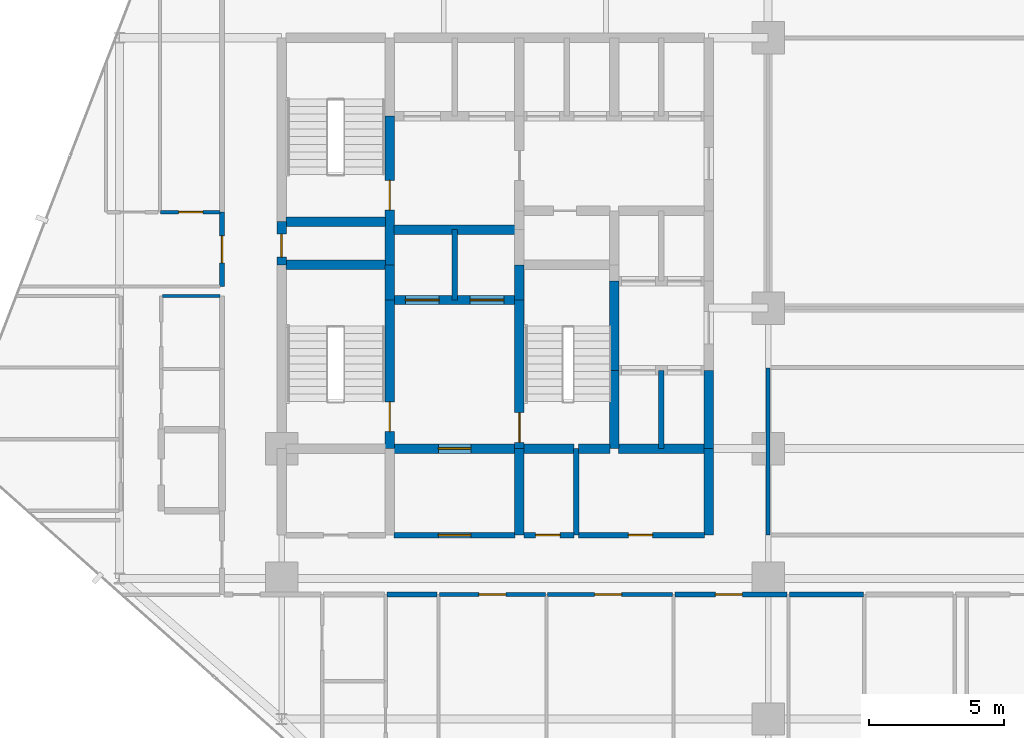
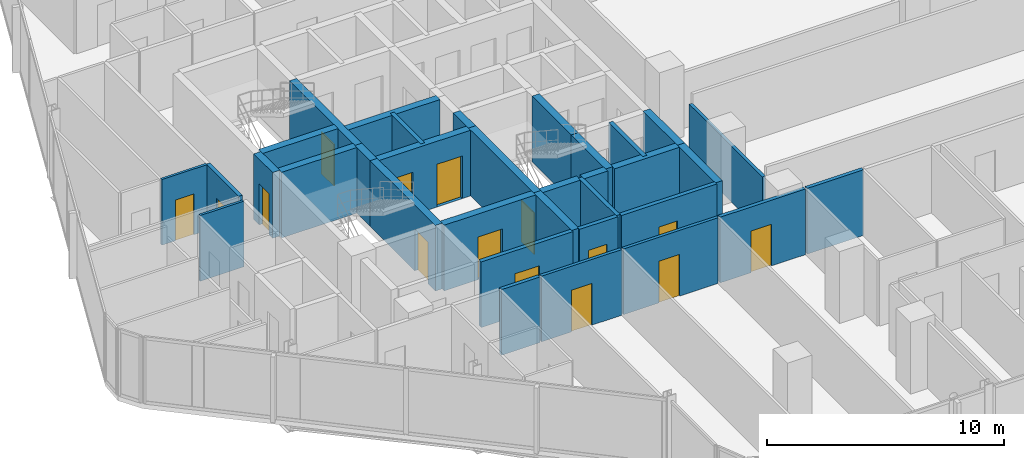
# One storey, part 27 of 34: 34 walls, 15 doors, 15 openings.
"""IFC4 building model written with IfcOpenShell, lengths in metres."""

from ifc_helpers import new_model, si_unit, direction, frame, frame_2d, origin, place, context, subcontext, project, spatial, rectangle, extrude, material, layer, layer_set, type_object, element, fill, save


model = new_model("IFC4")

# Units and contexts
model_context = context("Model", 3, precision=1e-05, world=origin(), true_north=direction((0.0, 1.0)))
body_context = subcontext(model_context, "Body", "Model", "MODEL_VIEW")
ifc_project = project(units=[si_unit("LENGTHUNIT", "METRE"), si_unit("AREAUNIT", "SQUARE_METRE"), si_unit("VOLUMEUNIT", "CUBIC_METRE"), si_unit("PLANEANGLEUNIT", "RADIAN"), si_unit("MASSUNIT", "GRAM", prefix="KILO")], contexts=[model_context])

# Site, building, storey
site_placement = place(None, origin())
site = spatial("IfcSite", under=ifc_project, at=site_placement, CompositionType="ELEMENT")
building_placement = place(site_placement, origin())
building = spatial("IfcBuilding", under=site, at=building_placement, Name="Keshet Zoharim Tower", CompositionType="ELEMENT")
storey_placement = place(building_placement, frame((0.0, 0.0, 70.10009765625)))
storey = spatial("IfcBuildingStorey", under=building, at=storey_placement, Name="L16", CompositionType="ELEMENT", Elevation=70.10009765625)

# Wall
ifc_material_1 = material(Name="Gypsum Plasterboard", Category="gypsum")
ifc_layer_1 = layer(ifc_material_1, 0.14990234375)
ifc_layer_set_1 = layer_set([ifc_layer_1], Name="Gypsum Plasterboard")
wall_type_1 = type_object("IfcWallType", Name="WL-CLIN-150", PredefinedType="STANDARD", material=ifc_layer_set_1)
wall_1_placement = place(storey_placement, frame((33.0, 19.510009765625, 0.0), z_axis=(0.0, 0.0, 1.0), x_axis=(0.0, 1.0, 0.0)))
element("IfcWall", 1, at=wall_1_placement, inside=storey, type_object=wall_type_1, Name="L16 Interior Wall 068", PredefinedType="STANDARD", context=body_context, shape_type="SweptSolid", body=[
    extrude(rectangle(XDim=6.179931640625, YDim=0.14990234375, at=frame_2d((3.08984375, 0.0))), origin(), (0.0, 0.0, 1.0), 2.885009765625),
])

# Wall, opening, door
wall_2_placement = place(storey_placement, frame((20.844970703125, 17.300048828125, 0.0), z_axis=(0.0, 0.0, 1.0), x_axis=(1.0, 0.0, 0.0)))
wall_2 = element("IfcWall", 2, at=wall_2_placement, inside=storey, type_object=wall_type_1, Name="L16 Interior Wall 137", PredefinedType="STANDARD", context=body_context, shape_type="SweptSolid", body=[
    extrude(rectangle(XDim=3.909912109375, YDim=0.14990234375, at=frame_2d((1.955078125, 0.0))), origin(), (0.0, 0.0, 1.0), 3.385009765625),
])
opening_1_placement = place(wall_2_placement, frame((1.455078125, 0.0, 0.0)))
opening_1 = element("IfcOpeningElement", 3, at=opening_1_placement, cuts=wall_2, Name="Opening D-F310", PredefinedType="OPENING", context=body_context, shape_type="SweptSolid", body=[
    extrude(rectangle(XDim=1.0, YDim=2.14990234375, at=frame_2d((0.5, 1.074951171875))), frame((0.0, 0.0849609375, 0.0), z_axis=(0.0, -1.0, 0.0), x_axis=(1.0, 0.0, 0.0)), (0.0, 0.0, 1.0), 0.169921875),
])
ifc_material_2 = material(Name="Hardwood Timber", Category="wood")
door_type_1 = type_object("IfcDoorType", Name="DR-FD30-100", OperationType="NOTDEFINED", PredefinedType="DOOR", material=ifc_material_2)
door_1_placement = place(opening_1_placement, origin())
door_1 = element("IfcDoor", 4, at=door_1_placement, inside=storey, type_object=door_type_1, Name="L16 Residents Music Studio Door", OperationType="SINGLE_SWING_RIGHT", OverallHeight=2.14990234375, OverallWidth=1.0, PredefinedType="DOOR", context=body_context, shape_type="SweptSolid", body=[
    extrude(rectangle(XDim=1.0, YDim=2.14990234375, at=frame_2d((0.5, 1.074951171875))), frame((0.0, 0.02490234375, 0.0), z_axis=(0.0, -1.0, 0.0), x_axis=(1.0, 0.0, 0.0)), (0.0, 0.0, 1.0), 0.050048828125),
])
fill(opening_1, door_1)

wall_3_placement = place(storey_placement, frame((24.844970703125, 17.300048828125, 0.0), z_axis=(0.0, 0.0, 1.0), x_axis=(1.0, 0.0, 0.0)))
wall_3 = element("IfcWall", 5, at=wall_3_placement, inside=storey, type_object=wall_type_1, Name="L16 Interior Wall 138", PredefinedType="STANDARD", context=body_context, shape_type="SweptSolid", body=[
    extrude(rectangle(XDim=4.610107421875, YDim=0.14990234375, at=frame_2d((2.30517578125, 0.0))), origin(), (0.0, 0.0, 1.0), 3.385009765625),
])
opening_2_placement = place(wall_3_placement, frame((1.73388671875, 0.0, 0.0)))
opening_2 = element("IfcOpeningElement", 6, at=opening_2_placement, cuts=wall_3, Name="Opening D-F310", PredefinedType="OPENING", context=body_context, shape_type="SweptSolid", body=[
    extrude(rectangle(XDim=1.0, YDim=2.14990234375, at=frame_2d((0.5, 1.074951171875))), frame((0.0, 0.0849609375, 0.0), z_axis=(0.0, -1.0, 0.0), x_axis=(1.0, 0.0, 0.0)), (0.0, 0.0, 1.0), 0.169921875),
])
door_2_placement = place(opening_2_placement, origin())
door_2 = element("IfcDoor", 7, at=door_2_placement, inside=storey, type_object=door_type_1, Name="L16 Residents Art Workshop Door", OperationType="SINGLE_SWING_LEFT", OverallHeight=2.14990234375, OverallWidth=1.0, PredefinedType="DOOR", context=body_context, shape_type="SweptSolid", body=[
    extrude(rectangle(XDim=1.0, YDim=2.14990234375, at=frame_2d((0.5, 1.074951171875))), frame((0.0, 0.02490234375, 0.0), z_axis=(0.0, -1.0, 0.0), x_axis=(1.0, 0.0, 0.0)), (0.0, 0.0, 1.0), 0.050048828125),
])
fill(opening_2, door_2)

ifc_material_3 = material(Name="Concrete C60/75", Category="concrete")
ifc_layer_2 = layer(ifc_material_3, 0.35009765625)
ifc_layer_set_2 = layer_set([ifc_layer_2], Name="Concrete C60/75")
wall_type_2 = type_object("IfcWallType", Name="WL-CORE-350", PredefinedType="SHEAR", material=ifc_layer_set_2)
wall_4_placement = place(storey_placement, frame((15.0, 29.5, 0.0), z_axis=(0.0, 0.0, 1.0), x_axis=(0.0, 1.0, 0.0)))
wall_4 = element("IfcWall", 8, at=wall_4_placement, inside=storey, type_object=wall_type_2, Name="L16 Core Shear Wall 017", PredefinedType="SHEAR", context=body_context, shape_type="SweptSolid", body=[
    extrude(rectangle(XDim=1.60009765625, YDim=0.35009765625, at=frame_2d((0.800048828125, 0.0))), origin(), (0.0, 0.0, 1.0), 3.385009765625),
])
opening_3_placement = place(wall_4_placement, frame((0.287109375, 0.0, 0.0)))
opening_3 = element("IfcOpeningElement", 9, at=opening_3_placement, cuts=wall_4, Name="Opening D-RS85", PredefinedType="OPENING", context=body_context, shape_type="SweptSolid", body=[
    extrude(rectangle(XDim=0.85009765625, YDim=2.10009765625, at=frame_2d((0.425048828125, 1.050048828125))), frame((0.0, 0.18505859375, 0.0), z_axis=(0.0, -1.0, 0.0), x_axis=(1.0, 0.0, 0.0)), (0.0, 0.0, 1.0), 0.3701171875),
])
door_type_2 = type_object("IfcDoorType", Name="DR-RIS-085", OperationType="NOTDEFINED", PredefinedType="DOOR", material=ifc_material_2)
door_3_placement = place(opening_3_placement, origin())
door_3 = element("IfcDoor", 10, at=door_3_placement, inside=storey, type_object=door_type_2, Name="L16 Electrical Riser Access Cupboard Door", OperationType="SINGLE_SWING_LEFT", OverallHeight=2.10009765625, OverallWidth=0.85009765625, PredefinedType="DOOR", context=body_context, shape_type="SweptSolid", body=[
    extrude(rectangle(XDim=0.85009765625, YDim=2.10009765625, at=frame_2d((0.425048828125, 1.050048828125))), frame((0.0, 0.02490234375, 0.0), z_axis=(0.0, -1.0, 0.0), x_axis=(1.0, 0.0, 0.0)), (0.0, 0.0, 1.0), 0.050048828125),
])
fill(opening_3, door_3)

wall_5_placement = place(storey_placement, frame((19.0, 22.699951171875, 0.0), z_axis=(0.0, 0.0, 1.0), x_axis=(0.0, 1.0, 0.0)))
wall_5 = element("IfcWall", 11, at=wall_5_placement, inside=storey, type_object=wall_type_2, Name="L16 Core Shear Wall 026", PredefinedType="SHEAR", context=body_context, shape_type="SweptSolid", body=[
    extrude(rectangle(XDim=5.5, YDim=0.35009765625, at=frame_2d((2.75, 0.0))), origin(), (0.0, 0.0, 1.0), 3.385009765625),
])
opening_4_placement = place(wall_5_placement, frame((0.631103515625, 0.0, 0.0)))
opening_4 = element("IfcOpeningElement", 12, at=opening_4_placement, cuts=wall_5, Name="Opening D-F611", PredefinedType="OPENING", context=body_context, shape_type="SweptSolid", body=[
    extrude(rectangle(XDim=1.10009765625, YDim=2.14990234375, at=frame_2d((0.550048828125, 1.074951171875))), frame((0.0, 0.18505859375, 0.0), z_axis=(0.0, -1.0, 0.0), x_axis=(1.0, 0.0, 0.0)), (0.0, 0.0, 1.0), 0.3701171875),
])
door_type_3 = type_object("IfcDoorType", Name="DR-FD60-110", OperationType="NOTDEFINED", PredefinedType="DOOR", material=ifc_material_2)
door_4_placement = place(opening_4_placement, origin())
door_4 = element("IfcDoor", 13, at=door_4_placement, inside=storey, type_object=door_type_3, Name="L16 Exit Stair ST-01 Fire Door", OperationType="SINGLE_SWING_RIGHT", OverallHeight=2.14990234375, OverallWidth=1.10009765625, PredefinedType="DOOR", context=body_context, shape_type="SweptSolid", body=[
    extrude(rectangle(XDim=1.10009765625, YDim=2.14990234375, at=frame_2d((0.550048828125, 1.074951171875))), frame((0.0, 0.02490234375, 0.0), z_axis=(0.0, -1.0, 0.0), x_axis=(1.0, 0.0, 0.0)), (0.0, 0.0, 1.0), 0.050048828125),
])
fill(opening_4, door_4)

# Wall
wall_6_placement = place(storey_placement, frame((19.0, 28.199951171875, 0.0), z_axis=(0.0, 0.0, 1.0), x_axis=(0.0, 1.0, 0.0)))
element("IfcWall", 14, at=wall_6_placement, inside=storey, type_object=wall_type_2, Name="L16 Core Shear Wall 027", PredefinedType="SHEAR", context=body_context, shape_type="SweptSolid", body=[
    extrude(rectangle(XDim=1.300048828125, YDim=0.35009765625, at=frame_2d((0.64990234375, 0.0))), origin(), (0.0, 0.0, 1.0), 3.385009765625),
])

# Wall, opening, door
wall_7_placement = place(storey_placement, frame((19.0, 29.5, 0.0), z_axis=(0.0, 0.0, 1.0), x_axis=(0.0, 1.0, 0.0)))
wall_7 = element("IfcWall", 15, at=wall_7_placement, inside=storey, type_object=wall_type_2, Name="L16 Core Shear Wall 028", PredefinedType="SHEAR", context=body_context, shape_type="SweptSolid", body=[
    extrude(rectangle(XDim=5.5, YDim=0.35009765625, at=frame_2d((2.75, 0.0))), origin(), (0.0, 0.0, 1.0), 3.385009765625),
])
opening_5_placement = place(wall_7_placement, frame((2.02490234375, 0.0, 0.0)))
opening_5 = element("IfcOpeningElement", 16, at=opening_5_placement, cuts=wall_7, Name="Opening D-F611", PredefinedType="OPENING", context=body_context, shape_type="SweptSolid", body=[
    extrude(rectangle(XDim=1.10009765625, YDim=2.14990234375, at=frame_2d((0.550048828125, 1.074951171875))), frame((0.0, 0.18505859375, 0.0), z_axis=(0.0, -1.0, 0.0), x_axis=(1.0, 0.0, 0.0)), (0.0, 0.0, 1.0), 0.3701171875),
])
door_5_placement = place(opening_5_placement, origin())
door_5 = element("IfcDoor", 17, at=door_5_placement, inside=storey, type_object=door_type_3, Name="L16 Exit Stair ST-02 Fire Door", OperationType="SINGLE_SWING_LEFT", OverallHeight=2.14990234375, OverallWidth=1.10009765625, PredefinedType="DOOR", context=body_context, shape_type="SweptSolid", body=[
    extrude(rectangle(XDim=1.10009765625, YDim=2.14990234375, at=frame_2d((0.550048828125, 1.074951171875))), frame((0.0, 0.02490234375, 0.0), z_axis=(0.0, -1.0, 0.0), x_axis=(1.0, 0.0, 0.0)), (0.0, 0.0, 1.0), 0.050048828125),
])
fill(opening_5, door_5)

# Wall
wall_8_placement = place(storey_placement, frame((23.800048828125, 19.5, 0.0), z_axis=(0.0, 0.0, 1.0), x_axis=(0.0, 1.0, 0.0)))
element("IfcWall", 18, at=wall_8_placement, inside=storey, type_object=wall_type_2, Name="L16 Core Shear Wall 037", PredefinedType="SHEAR", context=body_context, shape_type="SweptSolid", body=[
    extrude(rectangle(XDim=3.199951171875, YDim=0.35009765625, at=frame_2d((1.60009765625, 0.0))), origin(), (0.0, 0.0, 1.0), 3.385009765625),
])

# Wall, opening, door
wall_9_placement = place(storey_placement, frame((23.800048828125, 22.699951171875, 0.0), z_axis=(0.0, 0.0, 1.0), x_axis=(0.0, 1.0, 0.0)))
wall_9 = element("IfcWall", 19, at=wall_9_placement, inside=storey, type_object=wall_type_2, Name="L16 Core Shear Wall 038", PredefinedType="SHEAR", context=body_context, shape_type="SweptSolid", body=[
    extrude(rectangle(XDim=5.5, YDim=0.35009765625, at=frame_2d((2.75, 0.0))), origin(), (0.0, 0.0, 1.0), 3.385009765625),
])
opening_6_placement = place(wall_9_placement, frame((0.235107421875, 0.0, 0.0)))
opening_6 = element("IfcOpeningElement", 20, at=opening_6_placement, cuts=wall_9, Name="Opening D-F611", PredefinedType="OPENING", context=body_context, shape_type="SweptSolid", body=[
    extrude(rectangle(XDim=1.10009765625, YDim=2.14990234375, at=frame_2d((0.550048828125, 1.074951171875))), frame((0.0, 0.18505859375, 0.0), z_axis=(0.0, -1.0, 0.0), x_axis=(1.0, 0.0, 0.0)), (0.0, 0.0, 1.0), 0.3701171875),
])
door_6_placement = place(opening_6_placement, frame((1.10009765625, 0.0, 0.0), z_axis=(0.0, 0.0, 1.0), x_axis=(-1.0, 0.0, 0.0)))
door_6 = element("IfcDoor", 21, at=door_6_placement, inside=storey, type_object=door_type_3, Name="L16 Exit Stair ST-03 Fire Door", OperationType="SINGLE_SWING_RIGHT", OverallHeight=2.14990234375, OverallWidth=1.10009765625, PredefinedType="DOOR", context=body_context, shape_type="SweptSolid", body=[
    extrude(rectangle(XDim=1.10009765625, YDim=2.14990234375, at=frame_2d((0.550048828125, 1.074951171875))), frame((0.0, 0.02490234375, 0.0), z_axis=(0.0, -1.0, 0.0), x_axis=(1.0, 0.0, 0.0)), (0.0, 0.0, 1.0), 0.050048828125),
])
fill(opening_6, door_6)

# Walls
wall_10_placement = place(storey_placement, frame((23.800048828125, 28.199951171875, 0.0), z_axis=(0.0, 0.0, 1.0), x_axis=(0.0, 1.0, 0.0)))
element("IfcWall", 22, at=wall_10_placement, inside=storey, type_object=wall_type_2, Name="L16 Core Shear Wall 039", PredefinedType="SHEAR", context=body_context, shape_type="SweptSolid", body=[
    extrude(rectangle(XDim=1.300048828125, YDim=0.35009765625, at=frame_2d((0.64990234375, 0.0))), origin(), (0.0, 0.0, 1.0), 3.385009765625),
])
wall_11_placement = place(storey_placement, frame((27.300048828125, 22.699951171875, 0.0), z_axis=(0.0, 0.0, 1.0), x_axis=(0.0, 1.0, 0.0)))
element("IfcWall", 23, at=wall_11_placement, inside=storey, type_object=wall_type_2, Name="L16 Core Shear Wall 049", PredefinedType="SHEAR", context=body_context, shape_type="SweptSolid", body=[
    extrude(rectangle(XDim=2.900146484375, YDim=0.35009765625, at=frame_2d((1.4501953125, 0.0))), origin(), (0.0, 0.0, 1.0), 3.385009765625),
])
wall_12_placement = place(storey_placement, frame((27.300048828125, 25.60009765625, 0.0), z_axis=(0.0, 0.0, 1.0), x_axis=(0.0, 1.0, 0.0)))
element("IfcWall", 24, at=wall_12_placement, inside=storey, type_object=wall_type_2, Name="L16 Core Shear Wall 050", PredefinedType="SHEAR", context=body_context, shape_type="SweptSolid", body=[
    extrude(rectangle(XDim=3.2998046875, YDim=0.35009765625, at=frame_2d((1.64990234375, 0.0))), origin(), (0.0, 0.0, 1.0), 3.385009765625),
])
wall_13_placement = place(storey_placement, frame((30.800048828125, 19.5, 0.0), z_axis=(0.0, 0.0, 1.0), x_axis=(0.0, 1.0, 0.0)))
element("IfcWall", 25, at=wall_13_placement, inside=storey, type_object=wall_type_2, Name="L16 Core Shear Wall 062", PredefinedType="SHEAR", context=body_context, shape_type="SweptSolid", body=[
    extrude(rectangle(XDim=3.199951171875, YDim=0.35009765625, at=frame_2d((1.60009765625, 0.0))), origin(), (0.0, 0.0, 1.0), 3.385009765625),
])
wall_14_placement = place(storey_placement, frame((30.800048828125, 22.699951171875, 0.0), z_axis=(0.0, 0.0, 1.0), x_axis=(0.0, 1.0, 0.0)))
element("IfcWall", 26, at=wall_14_placement, inside=storey, type_object=wall_type_2, Name="L16 Core Shear Wall 063", PredefinedType="SHEAR", context=body_context, shape_type="SweptSolid", body=[
    extrude(rectangle(XDim=2.900146484375, YDim=0.35009765625, at=frame_2d((1.4501953125, 0.0))), origin(), (0.0, 0.0, 1.0), 3.385009765625),
])

# Wall, opening, door
wall_15_placement = place(storey_placement, frame((19.159912109375, 22.699951171875, 0.0), z_axis=(0.0, 0.0, 1.0), x_axis=(1.0, 0.0, 0.0)))
wall_15 = element("IfcWall", 27, at=wall_15_placement, inside=storey, type_object=wall_type_2, Name="L16 Core Shear Wall 159", PredefinedType="SHEAR", context=body_context, shape_type="SweptSolid", body=[
    extrude(rectangle(XDim=4.47998046875, YDim=0.35009765625, at=frame_2d((2.239990234375, 0.0))), origin(), (0.0, 0.0, 1.0), 3.385009765625),
])
opening_7_placement = place(wall_15_placement, frame((1.639892578125, 0.0, 0.0)))
opening_7 = element("IfcOpeningElement", 28, at=opening_7_placement, cuts=wall_15, Name="Opening D-F612", PredefinedType="OPENING", context=body_context, shape_type="SweptSolid", body=[
    extrude(rectangle(XDim=1.199951171875, YDim=2.199951171875, at=frame_2d((0.60009765625, 1.10009765625))), frame((0.0, 0.18505859375, 0.0), z_axis=(0.0, -1.0, 0.0), x_axis=(1.0, 0.0, 0.0)), (0.0, 0.0, 1.0), 0.3701171875),
])
door_type_4 = type_object("IfcDoorType", Name="DR-FD60-120", OperationType="NOTDEFINED", PredefinedType="DOOR", material=ifc_material_2)
door_7_placement = place(opening_7_placement, origin())
door_7 = element("IfcDoor", 29, at=door_7_placement, inside=storey, type_object=door_type_4, Name="L16 South Core Lobby Fire Door", OperationType="SINGLE_SWING_LEFT", OverallHeight=2.199951171875, OverallWidth=1.199951171875, PredefinedType="DOOR", context=body_context, shape_type="SweptSolid", body=[
    extrude(rectangle(XDim=1.199951171875, YDim=2.199951171875, at=frame_2d((0.60009765625, 1.10009765625))), frame((0.0, 0.02490234375, 0.0), z_axis=(0.0, -1.0, 0.0), x_axis=(1.0, 0.0, 0.0)), (0.0, 0.0, 1.0), 0.050048828125),
])
fill(opening_7, door_7)

# Walls
wall_16_placement = place(storey_placement, frame((23.9599609375, 22.699951171875, 0.0), z_axis=(0.0, 0.0, 1.0), x_axis=(1.0, 0.0, 0.0)))
element("IfcWall", 30, at=wall_16_placement, inside=storey, type_object=wall_type_2, Name="L16 Core Shear Wall 160", PredefinedType="SHEAR", context=body_context, shape_type="SweptSolid", body=[
    extrude(rectangle(XDim=1.85498046875, YDim=0.35009765625, at=frame_2d((0.927490234375, 0.0))), origin(), (0.0, 0.0, 1.0), 3.385009765625),
])
wall_17_placement = place(storey_placement, frame((25.985107421875, 22.699951171875, 0.0), z_axis=(0.0, 0.0, 1.0), x_axis=(1.0, 0.0, 0.0)))
element("IfcWall", 31, at=wall_17_placement, inside=storey, type_object=wall_type_2, Name="L16 Core Shear Wall 161", PredefinedType="SHEAR", context=body_context, shape_type="SweptSolid", body=[
    extrude(rectangle(XDim=1.15478515625, YDim=0.35009765625, at=frame_2d((0.577392578125, 0.0))), origin(), (0.0, 0.0, 1.0), 3.385009765625),
])
wall_18_placement = place(storey_placement, frame((27.4599609375, 22.699951171875, 0.0), z_axis=(0.0, 0.0, 1.0), x_axis=(1.0, 0.0, 0.0)))
element("IfcWall", 32, at=wall_18_placement, inside=storey, type_object=wall_type_2, Name="L16 Core Shear Wall 162", PredefinedType="SHEAR", context=body_context, shape_type="SweptSolid", body=[
    extrude(rectangle(XDim=3.179931640625, YDim=0.35009765625, at=frame_2d((1.58984375, 0.0))), origin(), (0.0, 0.0, 1.0), 3.385009765625),
])

# Wall, openings, doors
wall_19_placement = place(storey_placement, frame((19.159912109375, 28.199951171875, 0.0), z_axis=(0.0, 0.0, 1.0), x_axis=(1.0, 0.0, 0.0)))
wall_19 = element("IfcWall", 33, at=wall_19_placement, inside=storey, type_object=wall_type_2, Name="L16 Core Shear Wall 170", PredefinedType="SHEAR", context=body_context, shape_type="SweptSolid", body=[
    extrude(rectangle(XDim=4.47998046875, YDim=0.35009765625, at=frame_2d((2.239990234375, 0.0))), origin(), (0.0, 0.0, 1.0), 3.385009765625),
])
opening_8_placement = place(wall_19_placement, frame((0.4150390625, 0.0, 0.0)))
opening_8 = element("IfcOpeningElement", 34, at=opening_8_placement, cuts=wall_19, Name="Opening LD-01", PredefinedType="OPENING", context=body_context, shape_type="SweptSolid", body=[
    extrude(rectangle(XDim=1.25, YDim=2.199951171875, at=frame_2d((0.625, 1.10009765625))), frame((0.0, 0.18505859375, 0.0), z_axis=(0.0, -1.0, 0.0), x_axis=(1.0, 0.0, 0.0)), (0.0, 0.0, 1.0), 0.3701171875),
])
opening_9_placement = place(wall_19_placement, frame((2.81494140625, 0.0, 0.0)))
opening_9 = element("IfcOpeningElement", 35, at=opening_9_placement, cuts=wall_19, Name="Opening LD-01", PredefinedType="OPENING", context=body_context, shape_type="SweptSolid", body=[
    extrude(rectangle(XDim=1.25, YDim=2.199951171875, at=frame_2d((0.625, 1.10009765625))), frame((0.0, 0.18505859375, 0.0), z_axis=(0.0, -1.0, 0.0), x_axis=(1.0, 0.0, 0.0)), (0.0, 0.0, 1.0), 0.3701171875),
])
ifc_material_4 = material(Name="Steel S355", Category="steel")
door_type_5 = type_object("IfcDoorType", Name="DR-LD01-125", OperationType="DOUBLE_DOOR_SLIDING", PredefinedType="DOOR", material=ifc_material_4)
door_8_placement = place(opening_8_placement, origin())
door_8 = element("IfcDoor", 36, at=door_8_placement, inside=storey, type_object=door_type_5, Name="L16 Passenger Lift Landing Door LF-09", OperationType="DOUBLE_DOOR_SLIDING", OverallHeight=2.199951171875, OverallWidth=1.25, PredefinedType="DOOR", context=body_context, shape_type="SweptSolid", body=[
    extrude(rectangle(XDim=1.25, YDim=2.199951171875, at=frame_2d((0.625, 1.10009765625))), frame((0.0, 0.02490234375, 0.0), z_axis=(0.0, -1.0, 0.0), x_axis=(1.0, 0.0, 0.0)), (0.0, 0.0, 1.0), 0.050048828125),
])
fill(opening_8, door_8)
door_9_placement = place(opening_9_placement, origin())
door_9 = element("IfcDoor", 37, at=door_9_placement, inside=storey, type_object=door_type_5, Name="L16 Passenger Lift Landing Door LF-10", OperationType="DOUBLE_DOOR_SLIDING", OverallHeight=2.199951171875, OverallWidth=1.25, PredefinedType="DOOR", context=body_context, shape_type="SweptSolid", body=[
    extrude(rectangle(XDim=1.25, YDim=2.199951171875, at=frame_2d((0.625, 1.10009765625))), frame((0.0, 0.02490234375, 0.0), z_axis=(0.0, -1.0, 0.0), x_axis=(1.0, 0.0, 0.0)), (0.0, 0.0, 1.0), 0.050048828125),
])
fill(opening_9, door_9)

# Walls
wall_20_placement = place(storey_placement, frame((15.159912109375, 29.5, 0.0), z_axis=(0.0, 0.0, 1.0), x_axis=(1.0, 0.0, 0.0)))
element("IfcWall", 38, at=wall_20_placement, inside=storey, type_object=wall_type_2, Name="L16 Core Shear Wall 176", PredefinedType="SHEAR", context=body_context, shape_type="SweptSolid", body=[
    extrude(rectangle(XDim=3.68017578125, YDim=0.35009765625, at=frame_2d((1.840087890625, 0.0))), origin(), (0.0, 0.0, 1.0), 3.385009765625),
])
wall_21_placement = place(storey_placement, frame((19.159912109375, 30.800048828125, 0.0), z_axis=(0.0, 0.0, 1.0), x_axis=(1.0, 0.0, 0.0)))
element("IfcWall", 39, at=wall_21_placement, inside=storey, type_object=wall_type_2, Name="L16 Core Shear Wall 178", PredefinedType="SHEAR", context=body_context, shape_type="SweptSolid", body=[
    extrude(rectangle(XDim=4.47998046875, YDim=0.35009765625, at=frame_2d((2.239990234375, 0.0))), origin(), (0.0, 0.0, 1.0), 3.385009765625),
])
wall_22_placement = place(storey_placement, frame((15.159912109375, 31.10009765625, 0.0), z_axis=(0.0, 0.0, 1.0), x_axis=(1.0, 0.0, 0.0)))
element("IfcWall", 40, at=wall_22_placement, inside=storey, type_object=wall_type_2, Name="L16 Core Shear Wall 179", PredefinedType="SHEAR", context=body_context, shape_type="SweptSolid", body=[
    extrude(rectangle(XDim=3.68017578125, YDim=0.35009765625, at=frame_2d((1.840087890625, 0.0))), origin(), (0.0, 0.0, 1.0), 3.385009765625),
])

# Wall, opening, door
ifc_layer_3 = layer(ifc_material_1, 0.179931640625)
ifc_layer_set_3 = layer_set([ifc_layer_3], Name="Gypsum Plasterboard")
wall_type_3 = type_object("IfcWallType", Name="WL-CORR-180", PredefinedType="STANDARD", material=ifc_layer_set_3)
wall_23_placement = place(storey_placement, frame((12.800048828125, 28.699951171875, 0.0), z_axis=(0.0, 0.0, 1.0), x_axis=(0.0, 1.0, 0.0)))
wall_23 = element("IfcWall", 41, at=wall_23_placement, inside=storey, type_object=wall_type_3, Name="L16 Interior Wall 011", PredefinedType="STANDARD", context=body_context, shape_type="SweptSolid", body=[
    extrude(rectangle(XDim=2.75, YDim=0.179931640625, at=frame_2d((1.375, 0.0))), origin(), (0.0, 0.0, 1.0), 3.385009765625),
])
opening_10_placement = place(wall_23_placement, frame((0.875, 0.0, 0.0)))
opening_10 = element("IfcOpeningElement", 42, at=opening_10_placement, cuts=wall_23, Name="Opening D-F310", PredefinedType="OPENING", context=body_context, shape_type="SweptSolid", body=[
    extrude(rectangle(XDim=1.0, YDim=2.14990234375, at=frame_2d((0.5, 1.074951171875))), frame((0.0, 0.10009765625, 0.0), z_axis=(0.0, -1.0, 0.0), x_axis=(1.0, 0.0, 0.0)), (0.0, 0.0, 1.0), 0.199951171875),
])
door_10_placement = place(opening_10_placement, origin())
door_10 = element("IfcDoor", 43, at=door_10_placement, inside=storey, type_object=door_type_1, Name="Apartment 1611 Entrance Door", OperationType="SINGLE_SWING_RIGHT", OverallHeight=2.14990234375, OverallWidth=1.0, PredefinedType="DOOR", context=body_context, shape_type="SweptSolid", body=[
    extrude(rectangle(XDim=1.0, YDim=2.14990234375, at=frame_2d((0.5, 1.074951171875))), frame((0.0, 0.02490234375, 0.0), z_axis=(0.0, -1.0, 0.0), x_axis=(1.0, 0.0, 0.0)), (0.0, 0.0, 1.0), 0.050048828125),
])
fill(opening_10, door_10)

# Wall
wall_24_placement = place(storey_placement, frame((18.89501953125, 17.300048828125, 0.0), z_axis=(0.0, 0.0, 1.0), x_axis=(1.0, 0.0, 0.0)))
element("IfcWall", 44, at=wall_24_placement, inside=storey, type_object=wall_type_3, Name="L16 Interior Wall 136", PredefinedType="STANDARD", context=body_context, shape_type="SweptSolid", body=[
    extrude(rectangle(XDim=1.85986328125, YDim=0.179931640625, at=frame_2d((0.929931640625, 0.0))), origin(), (0.0, 0.0, 1.0), 3.385009765625),
])

# Wall, opening, door
wall_25_placement = place(storey_placement, frame((29.544921875, 17.300048828125, 0.0), z_axis=(0.0, 0.0, 1.0), x_axis=(1.0, 0.0, 0.0)))
wall_25 = element("IfcWall", 45, at=wall_25_placement, inside=storey, type_object=wall_type_3, Name="L16 Interior Wall 139", PredefinedType="STANDARD", context=body_context, shape_type="SweptSolid", body=[
    extrude(rectangle(XDim=4.150146484375, YDim=0.179931640625, at=frame_2d((2.0751953125, 0.0))), origin(), (0.0, 0.0, 1.0), 3.385009765625),
])
opening_11_placement = place(wall_25_placement, frame((1.5029296875, 0.0, 0.0)))
opening_11 = element("IfcOpeningElement", 46, at=opening_11_placement, cuts=wall_25, Name="Opening D-F310", PredefinedType="OPENING", context=body_context, shape_type="SweptSolid", body=[
    extrude(rectangle(XDim=1.0, YDim=2.14990234375, at=frame_2d((0.5, 1.074951171875))), frame((0.0, 0.10009765625, 0.0), z_axis=(0.0, -1.0, 0.0), x_axis=(1.0, 0.0, 0.0)), (0.0, 0.0, 1.0), 0.199951171875),
])
door_11_placement = place(opening_11_placement, origin())
door_11 = element("IfcDoor", 47, at=door_11_placement, inside=storey, type_object=door_type_1, Name="Apartment 1602 Entrance Door", OperationType="SINGLE_SWING_RIGHT", OverallHeight=2.14990234375, OverallWidth=1.0, PredefinedType="DOOR", context=body_context, shape_type="SweptSolid", body=[
    extrude(rectangle(XDim=1.0, YDim=2.14990234375, at=frame_2d((0.5, 1.074951171875))), frame((0.0, 0.02490234375, 0.0), z_axis=(0.0, -1.0, 0.0), x_axis=(1.0, 0.0, 0.0)), (0.0, 0.0, 1.0), 0.050048828125),
])
fill(opening_11, door_11)

# Walls
wall_26_placement = place(storey_placement, frame((33.784912109375, 17.300048828125, 0.0), z_axis=(0.0, 0.0, 1.0), x_axis=(1.0, 0.0, 0.0)))
element("IfcWall", 48, at=wall_26_placement, inside=storey, type_object=wall_type_3, Name="L16 Interior Wall 140", PredefinedType="STANDARD", context=body_context, shape_type="SweptSolid", body=[
    extrude(rectangle(XDim=2.739013671875, YDim=0.179931640625, at=frame_2d((1.36962890625, 0.0))), origin(), (0.0, 0.0, 1.0), 3.385009765625),
])
ifc_material_5 = material(Name="Concrete C50/60", Category="concrete")
ifc_layer_4 = layer(ifc_material_5, 0.199951171875)
ifc_layer_set_4 = layer_set([ifc_layer_4], Name="Concrete C50/60")
wall_type_4 = type_object("IfcWallType", Name="WL-FIRE-200", PredefinedType="STANDARD", material=ifc_layer_set_4)
wall_27_placement = place(storey_placement, frame((21.39990234375, 28.199951171875, 0.0), z_axis=(0.0, 0.0, 1.0), x_axis=(0.0, 1.0, 0.0)))
element("IfcWall", 49, at=wall_27_placement, inside=storey, type_object=wall_type_4, Name="L16 Interior Wall 034", PredefinedType="STANDARD", context=body_context, shape_type="SweptSolid", body=[
    extrude(rectangle(XDim=2.60009765625, YDim=0.199951171875, at=frame_2d((1.300048828125, 0.0))), origin(), (0.0, 0.0, 1.0), 3.385009765625),
])
wall_28_placement = place(storey_placement, frame((25.89990234375, 19.5, 0.0), z_axis=(0.0, 0.0, 1.0), x_axis=(0.0, 1.0, 0.0)))
element("IfcWall", 50, at=wall_28_placement, inside=storey, type_object=wall_type_4, Name="L16 Interior Wall 048", PredefinedType="STANDARD", context=body_context, shape_type="SweptSolid", body=[
    extrude(rectangle(XDim=3.199951171875, YDim=0.199951171875, at=frame_2d((1.60009765625, 0.0))), origin(), (0.0, 0.0, 1.0), 3.385009765625),
])
wall_29_placement = place(storey_placement, frame((29.050048828125, 22.699951171875, 0.0), z_axis=(0.0, 0.0, 1.0), x_axis=(0.0, 1.0, 0.0)))
element("IfcWall", 51, at=wall_29_placement, inside=storey, type_object=wall_type_4, Name="L16 Interior Wall 055", PredefinedType="STANDARD", context=body_context, shape_type="SweptSolid", body=[
    extrude(rectangle(XDim=2.900146484375, YDim=0.199951171875, at=frame_2d((1.4501953125, 0.0))), origin(), (0.0, 0.0, 1.0), 3.385009765625),
])

# Wall, opening, door
wall_30_placement = place(storey_placement, frame((19.159912109375, 19.5, 0.0), z_axis=(0.0, 0.0, 1.0), x_axis=(1.0, 0.0, 0.0)))
wall_30 = element("IfcWall", 52, at=wall_30_placement, inside=storey, type_object=wall_type_4, Name="L16 Interior Wall 151", PredefinedType="STANDARD", context=body_context, shape_type="SweptSolid", body=[
    extrude(rectangle(XDim=4.47998046875, YDim=0.199951171875, at=frame_2d((2.239990234375, 0.0))), origin(), (0.0, 0.0, 1.0), 3.385009765625),
])
opening_12_placement = place(wall_30_placement, frame((1.639892578125, 0.0, 0.0)))
opening_12 = element("IfcOpeningElement", 53, at=opening_12_placement, cuts=wall_30, Name="Opening D-F612", PredefinedType="OPENING", context=body_context, shape_type="SweptSolid", body=[
    extrude(rectangle(XDim=1.199951171875, YDim=2.199951171875, at=frame_2d((0.60009765625, 1.10009765625))), frame((0.0, 0.10986328125, 0.0), z_axis=(0.0, -1.0, 0.0), x_axis=(1.0, 0.0, 0.0)), (0.0, 0.0, 1.0), 0.219970703125),
])
door_12_placement = place(opening_12_placement, origin())
door_12 = element("IfcDoor", 54, at=door_12_placement, inside=storey, type_object=door_type_4, Name="L16 South Vestibule Corridor Door", OperationType="SINGLE_SWING_LEFT", OverallHeight=2.199951171875, OverallWidth=1.199951171875, PredefinedType="DOOR", context=body_context, shape_type="SweptSolid", body=[
    extrude(rectangle(XDim=1.199951171875, YDim=2.199951171875, at=frame_2d((0.60009765625, 1.10009765625))), frame((0.0, 0.02490234375, 0.0), z_axis=(0.0, -1.0, 0.0), x_axis=(1.0, 0.0, 0.0)), (0.0, 0.0, 1.0), 0.050048828125),
])
fill(opening_12, door_12)

wall_31_placement = place(storey_placement, frame((23.9599609375, 19.5, 0.0), z_axis=(0.0, 0.0, 1.0), x_axis=(1.0, 0.0, 0.0)))
wall_31 = element("IfcWall", 55, at=wall_31_placement, inside=storey, type_object=wall_type_4, Name="L16 Interior Wall 152", PredefinedType="STANDARD", context=body_context, shape_type="SweptSolid", body=[
    extrude(rectangle(XDim=1.85498046875, YDim=0.199951171875, at=frame_2d((0.927490234375, 0.0))), origin(), (0.0, 0.0, 1.0), 3.385009765625),
])
opening_13_placement = place(wall_31_placement, frame((0.43994140625, 0.0, 0.0)))
opening_13 = element("IfcOpeningElement", 56, at=opening_13_placement, cuts=wall_31, Name="Opening D-F690", PredefinedType="OPENING", context=body_context, shape_type="SweptSolid", body=[
    extrude(rectangle(XDim=0.89990234375, YDim=2.14990234375, at=frame_2d((0.449951171875, 1.074951171875))), frame((0.0, 0.10986328125, 0.0), z_axis=(0.0, -1.0, 0.0), x_axis=(1.0, 0.0, 0.0)), (0.0, 0.0, 1.0), 0.219970703125),
])
door_type_6 = type_object("IfcDoorType", Name="DR-FD60-090", OperationType="NOTDEFINED", PredefinedType="DOOR", material=ifc_material_2)
door_13_placement = place(opening_13_placement, origin())
door_13 = element("IfcDoor", 57, at=door_13_placement, inside=storey, type_object=door_type_6, Name="L16 Cleaners Store Door", OperationType="SINGLE_SWING_RIGHT", OverallHeight=2.14990234375, OverallWidth=0.89990234375, PredefinedType="DOOR", context=body_context, shape_type="SweptSolid", body=[
    extrude(rectangle(XDim=0.89990234375, YDim=2.14990234375, at=frame_2d((0.449951171875, 1.074951171875))), frame((0.0, 0.02490234375, 0.0), z_axis=(0.0, -1.0, 0.0), x_axis=(1.0, 0.0, 0.0)), (0.0, 0.0, 1.0), 0.050048828125),
])
fill(opening_13, door_13)

wall_32_placement = place(storey_placement, frame((25.985107421875, 19.5, 0.0), z_axis=(0.0, 0.0, 1.0), x_axis=(1.0, 0.0, 0.0)))
wall_32 = element("IfcWall", 58, at=wall_32_placement, inside=storey, type_object=wall_type_4, Name="L16 Interior Wall 153", PredefinedType="STANDARD", context=body_context, shape_type="SweptSolid", body=[
    extrude(rectangle(XDim=4.65478515625, YDim=0.199951171875, at=frame_2d((2.327392578125, 0.0))), origin(), (0.0, 0.0, 1.0), 3.385009765625),
])
opening_14_placement = place(wall_32_placement, frame((1.844970703125, 0.0, 0.0)))
opening_14 = element("IfcOpeningElement", 59, at=opening_14_placement, cuts=wall_32, Name="Opening D-F690", PredefinedType="OPENING", context=body_context, shape_type="SweptSolid", body=[
    extrude(rectangle(XDim=0.89990234375, YDim=2.14990234375, at=frame_2d((0.449951171875, 1.074951171875))), frame((0.0, 0.10986328125, 0.0), z_axis=(0.0, -1.0, 0.0), x_axis=(1.0, 0.0, 0.0)), (0.0, 0.0, 1.0), 0.219970703125),
])
door_14_placement = place(opening_14_placement, origin())
door_14 = element("IfcDoor", 60, at=door_14_placement, inside=storey, type_object=door_type_6, Name="L16 Meter Room Door", OperationType="SINGLE_SWING_LEFT", OverallHeight=2.14990234375, OverallWidth=0.89990234375, PredefinedType="DOOR", context=body_context, shape_type="SweptSolid", body=[
    extrude(rectangle(XDim=0.89990234375, YDim=2.14990234375, at=frame_2d((0.449951171875, 1.074951171875))), frame((0.0, 0.02490234375, 0.0), z_axis=(0.0, -1.0, 0.0), x_axis=(1.0, 0.0, 0.0)), (0.0, 0.0, 1.0), 0.050048828125),
])
fill(opening_14, door_14)

# Wall
ifc_layer_5 = layer(ifc_material_1, 0.1201171875)
ifc_layer_set_5 = layer_set([ifc_layer_5], Name="Gypsum Plasterboard")
wall_type_5 = type_object("IfcWallType", Name="WL-PART-120", PredefinedType="PARTITIONING", material=ifc_layer_set_5)
wall_33_placement = place(storey_placement, frame((10.594970703125, 28.35009765625, 0.0), z_axis=(0.0, 0.0, 1.0), x_axis=(1.0, 0.0, 0.0)))
element("IfcWall", 61, at=wall_33_placement, inside=storey, type_object=wall_type_5, Name="L16 Interior Wall 172", PredefinedType="PARTITIONING", context=body_context, shape_type="SweptSolid", body=[
    extrude(rectangle(XDim=2.130126953125, YDim=0.1201171875, at=frame_2d((1.06494140625, 0.0))), origin(), (0.0, 0.0, 1.0), 3.385009765625),
])

# Wall, opening, door
ifc_layer_6 = layer(ifc_material_1, 0.1201171875)
ifc_layer_set_6 = layer_set([ifc_layer_6], Name="Gypsum Plasterboard")
wall_type_6 = type_object("IfcWallType", Name="WL-WET-120", PredefinedType="PARTITIONING", material=ifc_layer_set_6)
wall_34_placement = place(storey_placement, frame((10.52294921875, 31.449951171875, 0.0), z_axis=(0.0, 0.0, 1.0), x_axis=(1.0, 0.0, 0.0)))
wall_34 = element("IfcWall", 62, at=wall_34_placement, inside=storey, type_object=wall_type_6, Name="L16 Interior Wall 181", PredefinedType="PARTITIONING", context=body_context, shape_type="SweptSolid", body=[
    extrude(rectangle(XDim=2.2021484375, YDim=0.1201171875, at=frame_2d((1.10107421875, 0.0))), origin(), (0.0, 0.0, 1.0), 3.385009765625),
])
opening_15_placement = place(wall_34_placement, frame((0.666015625, 0.0, 0.0)))
opening_15 = element("IfcOpeningElement", 63, at=opening_15_placement, cuts=wall_34, Name="Opening D-WT90", PredefinedType="OPENING", context=body_context, shape_type="SweptSolid", body=[
    extrude(rectangle(XDim=0.89990234375, YDim=2.10009765625, at=frame_2d((0.449951171875, 1.050048828125))), frame((0.0, 0.070068359375, 0.0), z_axis=(0.0, -1.0, 0.0), x_axis=(1.0, 0.0, 0.0)), (0.0, 0.0, 1.0), 0.14013671875),
])
door_type_7 = type_object("IfcDoorType", Name="DR-WET-090", OperationType="NOTDEFINED", PredefinedType="DOOR", material=ifc_material_2)
door_15_placement = place(opening_15_placement, origin())
door_15 = element("IfcDoor", 64, at=door_15_placement, inside=storey, type_object=door_type_7, Name="Apartment 1611 Bathroom Door", OperationType="SINGLE_SWING_RIGHT", OverallHeight=2.10009765625, OverallWidth=0.89990234375, PredefinedType="DOOR", context=body_context, shape_type="SweptSolid", body=[
    extrude(rectangle(XDim=0.89990234375, YDim=2.10009765625, at=frame_2d((0.449951171875, 1.050048828125))), frame((0.0, 0.02490234375, 0.0), z_axis=(0.0, -1.0, 0.0), x_axis=(1.0, 0.0, 0.0)), (0.0, 0.0, 1.0), 0.050048828125),
])
fill(opening_15, door_15)

save(model, "model.ifc")
